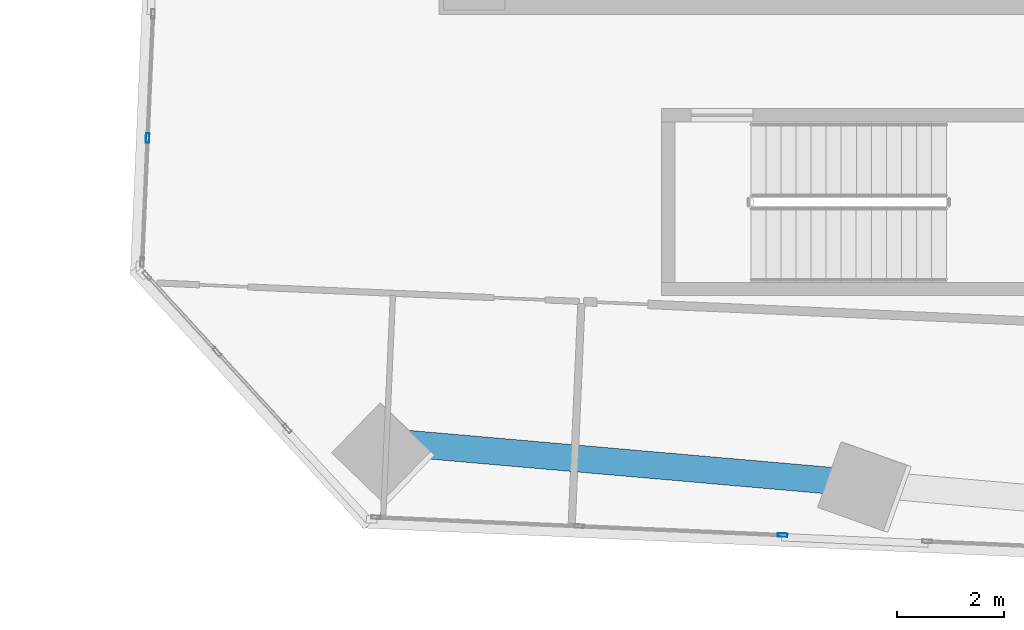
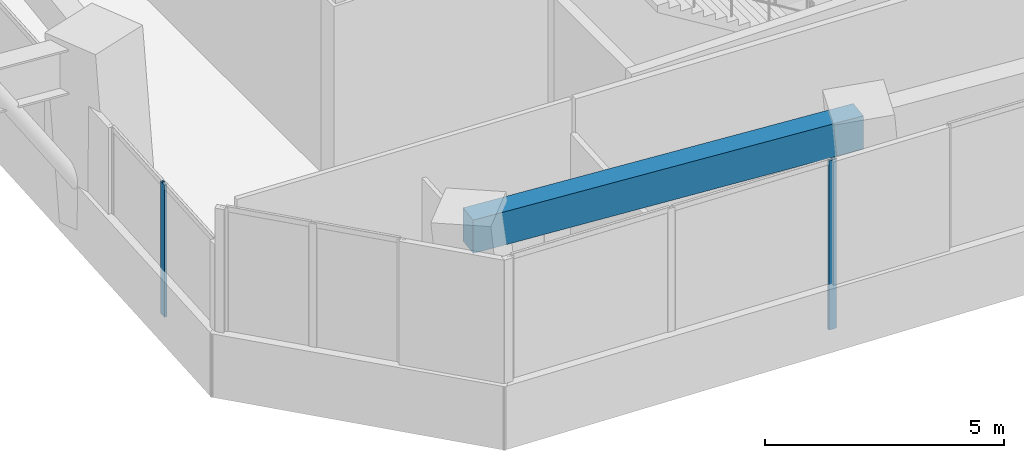
# One storey, part 3 of 26: 2 members, 1 beam, 2 elements without a shape of their own.
"""IFC4 building model written with IfcOpenShell, lengths in metres."""

import ifcopenshell
import ifcopenshell.guid

model = None  # the IFC model being written
_history = None  # IfcOwnerHistory: only IFC2X3 demands one
_inside = {}  # id of a spatial element -> (the spatial element, [elements in it])
_under = {}  # id of a project, library or spatial element -> (it, [spatial elements below it])
_declared = {}  # id of a project -> (the project, [libraries it declares])
_typed = {}  # id of a type object -> (the type object, [elements of that type])
_made_of = {}  # id of a material, layer set ... -> (it, [elements and type objects made of it])


def new_model(schema):
    """Start an empty IFC model of exactly this schema.

    Asked for "IFC4X3", IfcOpenShell would pick the latest addendum, in which some entities
    have other attributes; the version numbers below select the first issue.
    IFC2X3 requires an IfcOwnerHistory on every rooted entity: one is made here for all.
    """
    global model, _history
    if schema == "IFC4X3":
        model = ifcopenshell.file(schema_version=(4, 3, 0, 0))
    else:
        model = ifcopenshell.file(schema=schema)
    _inside.clear()
    _under.clear()
    _declared.clear()
    _typed.clear()
    _made_of.clear()
    _history = None
    if model.schema == "IFC2X3":
        org = make("IfcOrganization", Name="unknown")
        user = make(
            "IfcPersonAndOrganization",
            ThePerson=make("IfcPerson", FamilyName="unknown"),
            TheOrganization=org,
        )
        app = make(
            "IfcApplication",
            ApplicationDeveloper=org,
            Version="unknown",
            ApplicationFullName="unknown",
            ApplicationIdentifier="unknown",
        )
        _history = make(
            "IfcOwnerHistory",
            OwningUser=user,
            OwningApplication=app,
            ChangeAction="ADDED",
            CreationDate=0,
        )
    return model


def make(cls, **values):
    """One entity of the class cls with the attributes given. An attribute that is None is left unset."""
    return model.create_entity(
        cls, **{name: value for name, value in values.items() if value is not None}
    )


def rooted(cls, **values):
    """An entity with a GlobalId (a new one), such as an element, a storey or a relation."""
    return make(cls, GlobalId=ifcopenshell.guid.new(), OwnerHistory=_history, **values)


def si_unit(unit_type, name, prefix=None):
    """IfcSIUnit, for example si_unit("LENGTHUNIT", "METRE", prefix="MILLI")."""
    return make("IfcSIUnit", UnitType=unit_type, Prefix=prefix, Name=name)


def assignment(units):
    """IfcUnitAssignment: the units of a project."""
    return None if units is None else make("IfcUnitAssignment", Units=units)


def point(xyz):
    """IfcCartesianPoint."""
    return None if xyz is None else make("IfcCartesianPoint", Coordinates=xyz)


def direction(xyz):
    """IfcDirection."""
    return None if xyz is None else make("IfcDirection", DirectionRatios=xyz)


def frame(location, z_axis=None, x_axis=None):
    """IfcAxis2Placement3D, a coordinate frame: its origin and axes. An axis left out is left unset."""
    return make(
        "IfcAxis2Placement3D",
        Location=point(location),
        Axis=direction(z_axis),
        RefDirection=direction(x_axis),
    )


def frame_2d(location, x_axis=None):
    """IfcAxis2Placement2D, a coordinate frame in the plane: its origin and x axis."""
    return make(
        "IfcAxis2Placement2D", Location=point(location), RefDirection=direction(x_axis)
    )


def origin():
    """The frame at (0, 0, 0) with its axes left unset."""
    return frame((0.0, 0.0, 0.0))


def origin_2d():
    """The frame at (0, 0) in the plane with its x axis left unset."""
    return frame_2d((0.0, 0.0))


def place(relative_to, where):
    """IfcLocalPlacement: puts the frame where relative to a parent placement (None: the world)."""
    return make(
        "IfcLocalPlacement", PlacementRelTo=relative_to, RelativePlacement=where
    )


def context(
    kind, dimensions, precision=None, world=None, true_north=None, identifier=None
):
    """IfcGeometricRepresentationContext, for example the 3D "Model" context."""
    return make(
        "IfcGeometricRepresentationContext",
        ContextIdentifier=identifier,
        ContextType=kind,
        CoordinateSpaceDimension=dimensions,
        Precision=precision,
        WorldCoordinateSystem=world,
        TrueNorth=true_north,
    )


def subcontext(parent, identifier, kind, view, scale=None):
    """IfcGeometricRepresentationSubContext, for example "Body" below "Model"."""
    return make(
        "IfcGeometricRepresentationSubContext",
        ContextIdentifier=identifier,
        ContextType=kind,
        ParentContext=parent,
        TargetScale=scale,
        TargetView=view,
    )


def project(units=None, contexts=None):
    """IfcProject with its units and contexts."""
    return rooted(
        "IfcProject",
        Name="project",
        RepresentationContexts=contexts,
        UnitsInContext=assignment(units),
    )


def spatial(cls, under=None, at=None, **own):
    """A site, building, storey or space (cls), placed at a placement, below another one or the project."""
    s = rooted(cls, ObjectPlacement=at, **own)
    if under is not None:
        _under.setdefault(under.id(), (under, []))[1].append(s)
    return s


def profile(cls, at=None, kind="AREA", **sizes):
    """A parametric profile (cls). Its sizes go by their IFC names, for example OverallWidth=200.0."""
    return make(cls, ProfileType=kind, Position=at, **sizes)


def rectangle(**sizes):
    """IfcRectangleProfileDef."""
    return profile("IfcRectangleProfileDef", **sizes)


def hollow_rectangle(**sizes):
    """IfcRectangleHollowProfileDef."""
    return profile("IfcRectangleHollowProfileDef", **sizes)


def extrude(swept, where, along, depth):
    """IfcExtrudedAreaSolid: the profile swept, set in the frame where, extruded along a direction by depth."""
    return make(
        "IfcExtrudedAreaSolid",
        SweptArea=swept,
        Position=where,
        ExtrudedDirection=direction(along),
        Depth=depth,
    )


def shape(context_of_items, identifier, shape_type, items):
    """IfcShapeRepresentation: the items that make up one representation, for example the "Body"."""
    return make(
        "IfcShapeRepresentation",
        ContextOfItems=context_of_items,
        RepresentationIdentifier=identifier,
        RepresentationType=shape_type,
        Items=items,
    )


def source(mapping_origin, context_of_items, identifier, shape_type, items):
    """IfcRepresentationMap: a shape defined once, which mapped items show again and again."""
    return make(
        "IfcRepresentationMap",
        MappingOrigin=mapping_origin,
        MappedRepresentation=shape(context_of_items, identifier, shape_type, items),
    )


def transform(
    local_origin,
    x_axis=None,
    y_axis=None,
    z_axis=None,
    scale=None,
    scale2=None,
    scale3=None,
    uniform=True,
):
    """IfcCartesianTransformationOperator3D, or its non-uniform kind. x_axis, y_axis, z_axis: its Axis1, 2, 3."""
    if uniform:
        return make(
            "IfcCartesianTransformationOperator3D",
            Axis1=direction(x_axis),
            Axis2=direction(y_axis),
            LocalOrigin=point(local_origin),
            Scale=scale,
            Axis3=direction(z_axis),
        )
    return make(
        "IfcCartesianTransformationOperator3DnonUniform",
        Axis1=direction(x_axis),
        Axis2=direction(y_axis),
        LocalOrigin=point(local_origin),
        Scale=scale,
        Axis3=direction(z_axis),
        Scale2=scale2,
        Scale3=scale3,
    )


def mapped(mapping_source, mapping_target):
    """IfcMappedItem: shows the shape of a source again, moved by a transform."""
    return make(
        "IfcMappedItem", MappingSource=mapping_source, MappingTarget=mapping_target
    )


def material(Name=None, Category=None):
    """IfcMaterial."""
    return make("IfcMaterial", Name=Name, Category=Category)


def material_profile(
    of_material, cross_section, Name=None, Category=None, Priority=None
):
    """IfcMaterialProfile: a cross section and its material."""
    return make(
        "IfcMaterialProfile",
        Name=Name,
        Material=of_material,
        Profile=cross_section,
        Priority=Priority,
        Category=Category,
    )


def profile_set(profiles, Name=None, composite=None):
    """IfcMaterialProfileSet."""
    return make(
        "IfcMaterialProfileSet",
        Name=Name,
        MaterialProfiles=profiles,
        CompositeProfile=composite,
    )


def made_of(thing, what):
    """Note that an element or type object is made of a material, layer set ...; save() writes the relation."""
    if what is not None:
        _made_of.setdefault(what.id(), (what, []))[1].append(thing)
    return thing


def type_object(cls, material=None, **own):
    """A type object (cls), such as IfcWallType, which elements share."""
    return made_of(rooted(cls, **own), material)


def element(
    cls,
    number,
    at=None,
    inside=None,
    cuts=None,
    type_object=None,
    material=None,
    context=None,
    identifier="Body",
    shape_type=None,
    held_by="IfcProductDefinitionShape",
    body=None,
    shapes=None,
    **own,
):
    """One element of the class cls, such as IfcWall. Its Tag is "e" and its number.

    at: its placement. inside: the storey or other place that contains it. cuts: it is an
    opening in that element (IfcRelVoidsElement). A single representation is given by context,
    identifier, shape_type and body (its items); several are given by shapes. held_by: the class
    of the entity that holds the representations. save() writes the other relations.
    """
    e = rooted(cls, Tag="e%d" % number, ObjectPlacement=at, **own)
    if body is not None:
        shapes = [shape(context, identifier, shape_type, body)]
    if shapes is not None:
        e.Representation = make(held_by, Representations=shapes)
    if inside is not None:
        _inside.setdefault(inside.id(), (inside, []))[1].append(e)
    if cuts is not None:
        rooted(
            "IfcRelVoidsElement", RelatingBuildingElement=cuts, RelatedOpeningElement=e
        )
    if type_object is not None:
        _typed.setdefault(type_object.id(), (type_object, []))[1].append(e)
    return made_of(e, material)


def aggregate(whole, parts):
    """IfcRelAggregates: a whole, such as a stair, and the parts it consists of."""
    return rooted("IfcRelAggregates", RelatingObject=whole, RelatedObjects=parts)


def save(model, path):
    """Write the relations noted so far, then the file.

    IfcRelAggregates (storeys below a building ...), IfcRelContainedInSpatialStructure (elements
    in a storey), IfcRelDefinesByType, IfcRelAssociatesMaterial and IfcRelDeclares: one each for
    every whole, place, type object, material and project.
    """
    for whole, parts in _under.values():
        aggregate(whole, parts)
    for where, things in _inside.values():
        rooted(
            "IfcRelContainedInSpatialStructure",
            RelatedElements=things,
            RelatingStructure=where,
        )
    for kind, things in _typed.values():
        rooted("IfcRelDefinesByType", RelatedObjects=things, RelatingType=kind)
    for what, things in _made_of.values():
        rooted("IfcRelAssociatesMaterial", RelatedObjects=things, RelatingMaterial=what)
    for by, libraries in _declared.values():
        rooted("IfcRelDeclares", RelatingContext=by, RelatedDefinitions=libraries)
    model.write(path)


model = new_model("IFC4")

# Units and contexts
model_context = context("Model", 3, precision=1e-05, world=origin(), true_north=direction((0.0, 1.0)))
body_context = subcontext(model_context, "Body", "Model", "MODEL_VIEW")
ifc_project = project(units=[si_unit("LENGTHUNIT", "METRE"), si_unit("AREAUNIT", "SQUARE_METRE"), si_unit("VOLUMEUNIT", "CUBIC_METRE"), si_unit("PLANEANGLEUNIT", "RADIAN"), si_unit("MASSUNIT", "GRAM", prefix="KILO")], contexts=[model_context])

# Site, building, storey
site_placement = place(None, origin())
site = spatial("IfcSite", under=ifc_project, at=site_placement, CompositionType="ELEMENT")
building_placement = place(site_placement, origin())
building = spatial("IfcBuilding", under=site, at=building_placement, Name="Torre Montelarca", CompositionType="ELEMENT")
storey_placement = place(building_placement, frame((0.0, 0.0, 42.39990234375)))
storey = spatial("IfcBuildingStorey", under=building, at=storey_placement, Name="L09", CompositionType="ELEMENT", Elevation=42.39990234375)

# Beam
ifc_material_1 = material(Name="Concrete C55/67", Category="concrete")
ifc_material_profile_1 = material_profile(ifc_material_1, rectangle(XDim=0.5, YDim=0.85009765625, at=origin_2d()), Name="RCB500X850", Category="concrete")
ifc_profile_set_1 = profile_set([ifc_material_profile_1], Name="Concrete C55/67")
beam_type = type_object("IfcBeamType", Name="BM-SP-RC850-EXT", PredefinedType="SPANDREL", material=ifc_profile_set_1)
shared_shape_1 = source(origin(), body_context, "Body", "SweptSolid", [
    extrude(rectangle(XDim=0.5, YDim=0.85009765625, at=origin_2d()), origin(), (0.0, 0.0, 1.0), 8.999755859375),
])
beam_placement = place(storey_placement, frame((7.548583984375, 15.954833984375, 4.135009765625), z_axis=(0.996194335816, -0.087159883478, 0.0), x_axis=(0.087159883478, 0.996194335816, 0.0)))
element("IfcBeam", 1, at=beam_placement, inside=storey, type_object=beam_type, Name="L09 Grid Girder X 9.0-18.0 at Y=14.8", PredefinedType="SPANDREL", context=body_context, shape_type="MappedRepresentation", body=[
    mapped(shared_shape_1, transform((0.0, 0.0, 0.0), scale=1.0)),
])

# Curtain wall, member
ifc_material_2 = material(Name="Insulated low-E laminated glass", Category="glass")
curtain_wall_type = type_object("IfcCurtainWallType", Name="CW-SYS-Z1", PredefinedType="USERDEFINED", material=ifc_material_2)
curtain_wall_1_placement = place(storey_placement, origin())
curtain_wall_1 = element("IfcCurtainWall", 2, at=curtain_wall_1_placement, inside=storey, type_object=curtain_wall_type, Name="L09 Curtain Wall Run CW-T3-L09-E01-B1", ObjectType="UNITISED GLAZING", PredefinedType="USERDEFINED")
ifc_material_3 = material(Name="Anodised aluminium AA 6063-T6", Category="aluminium")
ifc_material_profile_2 = material_profile(ifc_material_3, hollow_rectangle(XDim=0.06494140625, YDim=0.179931640625, WallThickness=0.00390625, InnerFilletRadius=0.00390625, OuterFilletRadius=0.008056640625, at=origin_2d()), Name="ALU65X180X4", Category="aluminium")
ifc_profile_set_2 = profile_set([ifc_material_profile_2], Name="Anodised aluminium AA 6063-T6")
member_type = type_object("IfcMemberType", Name="CWM-ALU180", PredefinedType="MULLION", material=ifc_profile_set_2)
shared_shape_2 = source(origin(), body_context, "Body", "SweptSolid", [
    extrude(hollow_rectangle(XDim=0.06494140625, YDim=0.179931640625, WallThickness=0.00390625, InnerFilletRadius=0.00390625, OuterFilletRadius=0.008056640625, at=origin_2d()), origin(), (0.0, 0.0, 1.0), 4.320068359375),
])
member_1_placement = place(storey_placement, frame((15.3076171875, 14.18310546875, 0.0), z_axis=(0.0, 0.0, 1.0), x_axis=(0.0436191466, 0.999048232094, 0.0)))
member_1 = element("IfcMember", 3, at=member_1_placement, type_object=member_type, Name="CW mullion 3", PredefinedType="MULLION", context=body_context, shape_type="MappedRepresentation", body=[
    mapped(shared_shape_2, transform((0.0, 0.0, 0.0), scale=1.0)),
])
aggregate(curtain_wall_1, [member_1])

curtain_wall_2_placement = place(storey_placement, origin())
curtain_wall_2 = element("IfcCurtainWall", 4, at=curtain_wall_2_placement, inside=storey, type_object=curtain_wall_type, Name="L09 Curtain Wall Run CW-T3-L09-E10-B3", ObjectType="UNITISED GLAZING", PredefinedType="USERDEFINED")
shared_shape_3 = source(origin(), body_context, "Body", "SweptSolid", [
    extrude(hollow_rectangle(XDim=0.06494140625, YDim=0.179931640625, WallThickness=0.00390625, InnerFilletRadius=0.00390625, OuterFilletRadius=0.008056640625, at=origin_2d()), origin(), (0.0, 0.0, 1.0), 3.375),
])
member_2_placement = place(storey_placement, frame((3.458740234375, 21.59228515625, 0.0), z_axis=(0.0, 0.0, 1.0), x_axis=(0.999048714906, -0.043608086929, 0.0)))
member_2 = element("IfcMember", 5, at=member_2_placement, type_object=member_type, Name="CW mullion 2", PredefinedType="MULLION", context=body_context, shape_type="MappedRepresentation", body=[
    mapped(shared_shape_3, transform((0.0, 0.0, 0.0), scale=1.0)),
])
aggregate(curtain_wall_2, [member_2])

save(model, "model.ifc")
